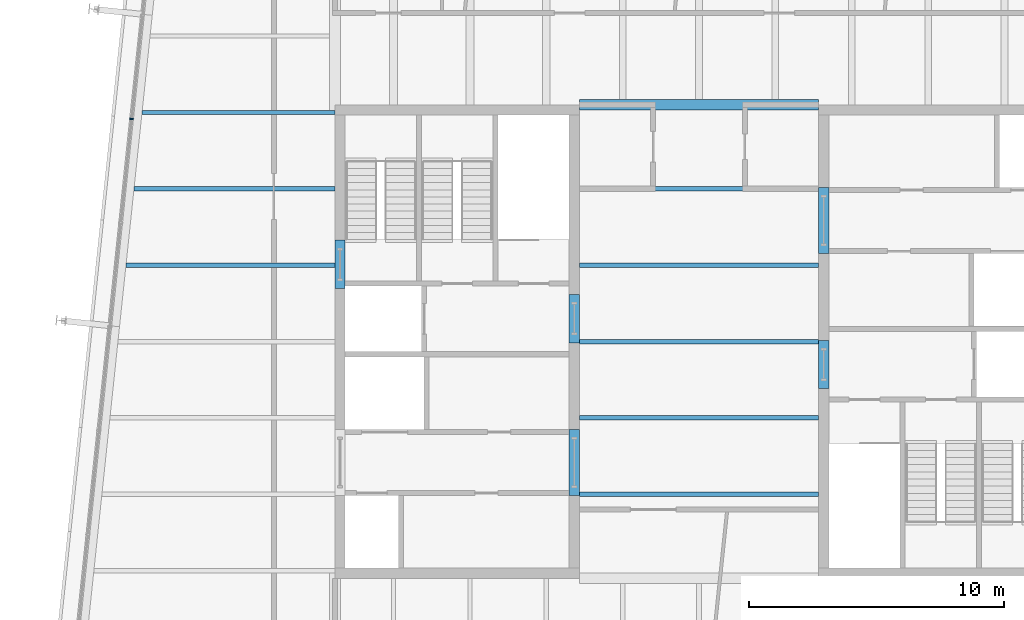
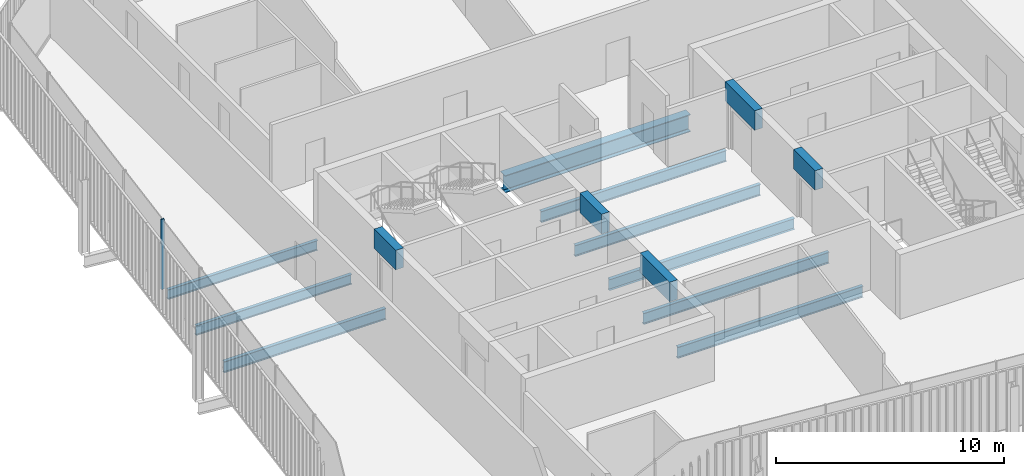
# One storey, part 8 of 19: 14 beams, 1 member, 1 element without a shape of its own.
"""IFC4 building model written with IfcOpenShell, lengths in metres."""

from ifc_helpers import new_model, si_unit, direction, frame, origin, origin_2d, place, context, subcontext, project, spatial, rectangle, i_section, extrude, material, layer, layer_set, material_profile, profile_set, type_object, element, aggregate, save


model = new_model("IFC4")

# Units and contexts
model_context = context("Model", 3, precision=1e-05, world=origin(), true_north=direction((0.0, 1.0)))
body_context = subcontext(model_context, "Body", "Model", "MODEL_VIEW")
ifc_project = project(units=[si_unit("LENGTHUNIT", "METRE"), si_unit("AREAUNIT", "SQUARE_METRE"), si_unit("VOLUMEUNIT", "CUBIC_METRE"), si_unit("PLANEANGLEUNIT", "RADIAN"), si_unit("MASSUNIT", "GRAM", prefix="KILO")], contexts=[model_context])

# Site, building, storey
site_placement = place(None, origin())
site = spatial("IfcSite", under=ifc_project, at=site_placement, CompositionType="ELEMENT")
building_placement = place(site_placement, origin())
building = spatial("IfcBuilding", under=site, at=building_placement, Name="Millrace Tower", CompositionType="ELEMENT")
storey_placement = place(building_placement, frame((0.0, 0.0, 338.199951171875)))
storey = spatial("IfcBuildingStorey", under=building, at=storey_placement, Name="L78", CompositionType="ELEMENT", Elevation=338.199951171875)

# Curtain wall, member
ifc_material_1 = material(Name="Aluminium and glass", Category="aluminium")
ifc_layer = layer(ifc_material_1, 0.14990234375)
ifc_layer_set = layer_set([ifc_layer], Name="Aluminium and glass")
curtain_wall_type = type_object("IfcCurtainWallType", Name="CW-1 office vision curtain wall", PredefinedType="NOTDEFINED", material=ifc_layer_set)
curtain_wall_placement = place(storey_placement, origin())
curtain_wall = element("IfcCurtainWall", 1, at=curtain_wall_placement, inside=storey, type_object=curtain_wall_type, Name="Curtain wall E-F08 L78", PredefinedType="NOTDEFINED")
ifc_material_2 = material(Name="Aluminium", Category="aluminium")
ifc_material_profile_1 = material_profile(ifc_material_2, rectangle(XDim=0.06494140625, YDim=0.14990234375, at=origin_2d()))
ifc_profile_set_1 = profile_set([ifc_material_profile_1], Name="Aluminium")
member_type = type_object("IfcMemberType", Name="CW-1 office vision curtain wall mullion", PredefinedType="MULLION", material=ifc_profile_set_1)
member_placement = place(storey_placement, frame((-22.2890625, 8.742431640625, 0.14013671875), z_axis=(0.0, 0.0, 1.0), x_axis=(-0.104528455196, -0.994521896217, 0.0)))
member = element("IfcMember", 2, at=member_placement, type_object=member_type, Name="CW1 mullion E-F08.5", PredefinedType="MULLION", context=body_context, shape_type="SweptSolid", body=[
    extrude(rectangle(XDim=0.06494140625, YDim=0.14990234375, at=origin_2d()), origin(), (0.0, 0.0, 1.0), 3.760009765625),
])
aggregate(curtain_wall, [member])

# Beams
ifc_material_3 = material(Name="Concrete C60", Category="concrete")
ifc_material_profile_2 = material_profile(ifc_material_3, rectangle(XDim=0.39990234375, YDim=1.050048828125, at=origin_2d()))
ifc_profile_set_2 = profile_set([ifc_material_profile_2], Name="Concrete C60")
beam_type_1 = type_object("IfcBeamType", Name="Coupling beam 400 x 1050 Concrete C60, 1300 opening", PredefinedType="BEAM", material=ifc_profile_set_2)
beam_1_placement = place(storey_placement, frame((-14.10009765625, 2.080078125, 2.925048828125), z_axis=(0.0, 1.0, 0.0), x_axis=(-1.0, 0.0, 0.0)))
element("IfcBeam", 3, at=beam_1_placement, inside=storey, type_object=beam_type_1, Name="Coupling beam W L78", PredefinedType="BEAM", context=body_context, shape_type="SweptSolid", body=[
    extrude(rectangle(XDim=0.39990234375, YDim=1.050048828125, at=origin_2d()), origin(), (0.0, 0.0, 1.0), 1.89990234375),
])
for number, where, z_axis, x_axis, name in (
    (4, (-4.89990234375, -0.050048828125, 2.925048828125), (0.0, 1.0, 0.0), (-1.0, 0.0, 0.0), "Coupling beam W L78"),
    (5, (4.89990234375, 0.050048828125, 2.925048828125), (0.0, -1.0, 0.0), (1.0, 0.0, 0.0), "Coupling beam E L78"),
):
    element("IfcBeam", number, at=place(storey_placement, frame(where, z_axis=z_axis, x_axis=x_axis)), inside=storey, type_object=beam_type_1, Name=name, PredefinedType="BEAM", context=body_context, shape_type="SweptSolid", body=[
        extrude(rectangle(XDim=0.39990234375, YDim=1.050048828125, at=origin_2d()), origin(), (0.0, 0.0, 1.0), 1.900146484375),
    ])
ifc_material_4 = material(Name="Concrete C60", Category="concrete")
ifc_material_profile_3 = material_profile(ifc_material_4, rectangle(XDim=0.39990234375, YDim=1.050048828125, at=origin_2d()))
ifc_profile_set_3 = profile_set([ifc_material_profile_3], Name="Concrete C60")
beam_type_2 = type_object("IfcBeamType", Name="Coupling beam 400 x 1050 Concrete C60, 2000 opening", PredefinedType="BEAM", material=ifc_profile_set_3)
for number, where, z_axis, x_axis, name in (
    (6, (-4.89990234375, -6.050048828125, 2.925048828125), (0.0, 1.0, 0.0), (-1.0, 0.0, 0.0), "Coupling beam W L78"),
    (7, (4.89990234375, 6.050048828125, 2.925048828125), (0.0, -1.0, 0.0), (1.0, 0.0, 0.0), "Coupling beam E L78"),
):
    element("IfcBeam", number, at=place(storey_placement, frame(where, z_axis=z_axis, x_axis=x_axis)), inside=storey, type_object=beam_type_2, Name=name, PredefinedType="BEAM", context=body_context, shape_type="SweptSolid", body=[
        extrude(rectangle(XDim=0.39990234375, YDim=1.050048828125, at=origin_2d()), origin(), (0.0, 0.0, 1.0), 2.60009765625),
    ])
ifc_material_5 = material(Name="Steel ASTM A992 Grade 50", Category="steel")
ifc_material_profile_4 = material_profile(ifc_material_5, i_section(OverallWidth=0.1650390625, OverallDepth=0.52587890625, WebThickness=0.0087890625, FlangeThickness=0.011474609375, FilletRadius=0.0126953125, at=origin_2d()))
ifc_profile_set_4 = profile_set([ifc_material_profile_4], Name="Steel ASTM A992 Grade 50")
beam_type_3 = type_object("IfcBeamType", Name="Floor beam W21x44", PredefinedType="JOIST", material=ifc_profile_set_4)
beam_2_placement = place(storey_placement, frame((-22.19287109375, 6.0, -0.4228515625), z_axis=(1.0, 0.0, 0.0), x_axis=(0.0, 1.0, 0.0)))
element("IfcBeam", 8, at=beam_2_placement, inside=storey, type_object=beam_type_3, Name="BM-E-L78-S1-S021", PredefinedType="JOIST", context=body_context, shape_type="SweptSolid", body=[
    extrude(i_section(OverallWidth=0.1650390625, OverallDepth=0.52587890625, WebThickness=0.0087890625, FlangeThickness=0.011474609375, FilletRadius=0.0126953125, at=origin_2d()), origin(), (0.0, 0.0, 1.0), 7.892822265625),
])
beam_3_placement = place(storey_placement, frame((-21.87744140625, 9.0, -0.4228515625), z_axis=(1.0, 0.0, 0.0), x_axis=(0.0, 1.0, 0.0)))
element("IfcBeam", 9, at=beam_3_placement, inside=storey, type_object=beam_type_3, Name="BM-E-L78-S1-S023", PredefinedType="JOIST", context=body_context, shape_type="SweptSolid", body=[
    extrude(i_section(OverallWidth=0.1650390625, OverallDepth=0.52587890625, WebThickness=0.0087890625, FlangeThickness=0.011474609375, FilletRadius=0.0126953125, at=origin_2d()), origin(), (0.0, 0.0, 1.0), 7.577392578125),
])
ifc_material_6 = material(Name="Steel ASTM A992 Grade 50", Category="steel")
ifc_material_profile_5 = material_profile(ifc_material_6, i_section(OverallWidth=0.177978515625, OverallDepth=0.599365234375, WebThickness=0.010009765625, FlangeThickness=0.012939453125, FilletRadius=0.012939453125, at=origin_2d()))
ifc_profile_set_5 = profile_set([ifc_material_profile_5], Name="Steel ASTM A992 Grade 50")
beam_type_4 = type_object("IfcBeamType", Name="Floor beam W24x55", PredefinedType="JOIST", material=ifc_profile_set_5)
for number, where, z_axis, x_axis, name in (
    (10, (-4.699951171875, -6.0, -0.459716796875), (1.0, 0.0, 0.0), (0.0, 1.0, 0.0), "BM-E-L78-S1-S008"),
    (11, (-4.699951171875, -3.0, -0.459716796875), (1.0, 0.0, 0.0), (0.0, 1.0, 0.0), "BM-E-L78-S1-S011"),
    (12, (-4.699951171875, 0.0, -0.459716796875), (1.0, 0.0, 0.0), (0.0, 1.0, 0.0), "BM-E-L78-S1-S014"),
    (13, (-4.699951171875, 3.0, -0.459716796875), (1.0, 0.0, 0.0), (0.0, 1.0, 0.0), "BM-E-L78-S1-S017"),
):
    element("IfcBeam", number, at=place(storey_placement, frame(where, z_axis=z_axis, x_axis=x_axis)), inside=storey, type_object=beam_type_4, Name=name, PredefinedType="JOIST", context=body_context, shape_type="SweptSolid", body=[
        extrude(i_section(OverallWidth=0.177978515625, OverallDepth=0.599365234375, WebThickness=0.010009765625, FlangeThickness=0.012939453125, FilletRadius=0.012939453125, at=origin_2d()), origin(), (0.0, 0.0, 1.0), 9.39990234375),
    ])
beam_4_placement = place(storey_placement, frame((-22.508056640625, 3.0, -0.459716796875), z_axis=(1.0, 0.0, 0.0), x_axis=(0.0, 1.0, 0.0)))
element("IfcBeam", 14, at=beam_4_placement, inside=storey, type_object=beam_type_4, Name="BM-E-L78-S1-S018", PredefinedType="JOIST", context=body_context, shape_type="SweptSolid", body=[
    extrude(i_section(OverallWidth=0.177978515625, OverallDepth=0.599365234375, WebThickness=0.010009765625, FlangeThickness=0.012939453125, FilletRadius=0.012939453125, at=origin_2d()), origin(), (0.0, 0.0, 1.0), 8.2080078125),
])
beam_5_placement = place(storey_placement, frame((-4.699951171875, 6.0, -0.459716796875), z_axis=(1.0, 0.0, 0.0), x_axis=(0.0, 1.0, 0.0)))
element("IfcBeam", 15, at=beam_5_placement, inside=storey, type_object=beam_type_4, Name="BM-E-L78-S1-S020", PredefinedType="JOIST", context=body_context, shape_type="SweptSolid", body=[
    extrude(i_section(OverallWidth=0.177978515625, OverallDepth=0.599365234375, WebThickness=0.010009765625, FlangeThickness=0.012939453125, FilletRadius=0.012939453125, at=origin_2d()), origin(), (0.0, 0.0, 1.0), 9.39990234375),
])
ifc_material_7 = material(Name="Steel ASTM A992 Grade 50", Category="steel")
ifc_material_profile_6 = material_profile(ifc_material_7, i_section(OverallWidth=0.419189453125, OverallDepth=0.927001953125, WebThickness=0.019287109375, FlangeThickness=0.031982421875, FilletRadius=0.024169921875, at=origin_2d()))
ifc_profile_set_6 = profile_set([ifc_material_profile_6], Name="Steel ASTM A992 Grade 50")
beam_type_5 = type_object("IfcBeamType", Name="Girder short span W36x231", PredefinedType="BEAM", material=ifc_profile_set_6)
beam_6_placement = place(storey_placement, frame((-4.699951171875, 9.300048828125, -0.62353515625), z_axis=(1.0, 0.0, 0.0), x_axis=(0.0, 1.0, 0.0)))
element("IfcBeam", 16, at=beam_6_placement, inside=storey, type_object=beam_type_5, Name="BM-E-L78-S1-G058", PredefinedType="BEAM", context=body_context, shape_type="SweptSolid", body=[
    extrude(i_section(OverallWidth=0.419189453125, OverallDepth=0.927001953125, WebThickness=0.019287109375, FlangeThickness=0.031982421875, FilletRadius=0.024169921875, at=origin_2d()), origin(), (0.0, 0.0, 1.0), 9.39990234375),
])

save(model, "model.ifc")
